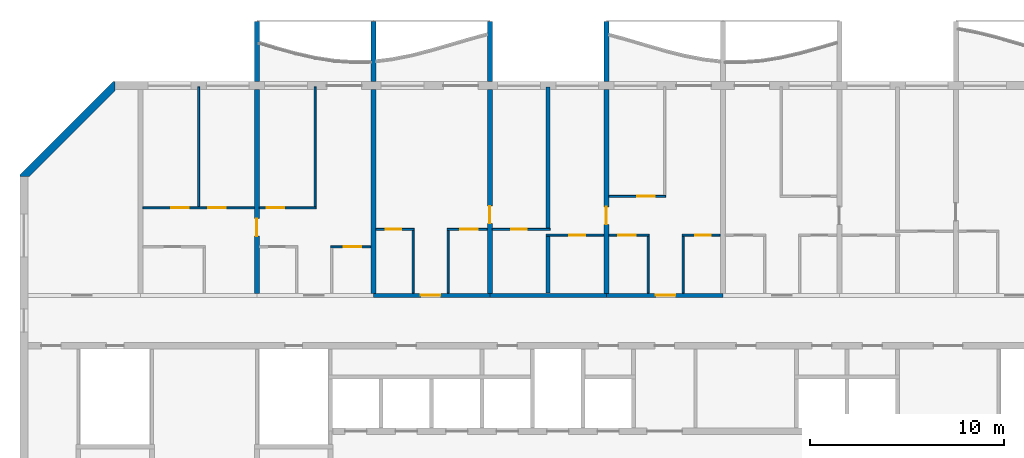
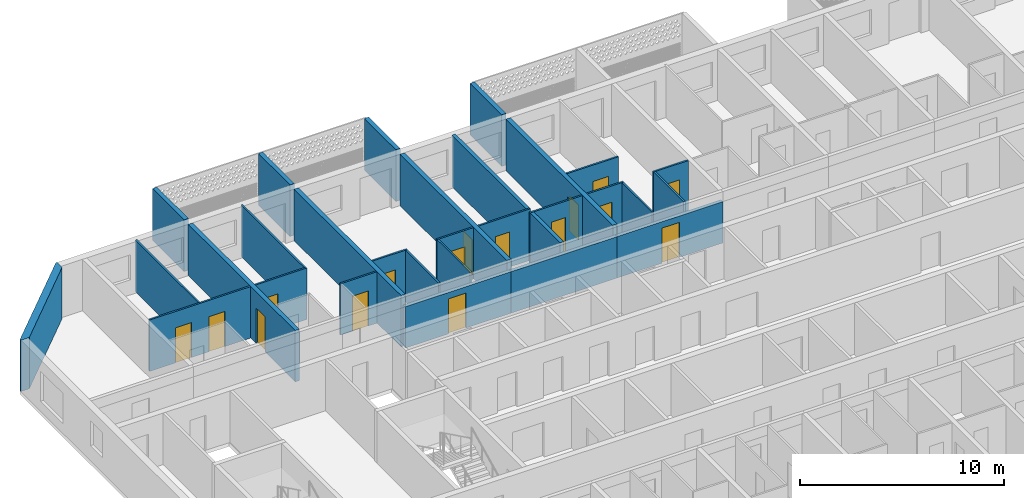
# One storey, part 8 of 27: 30 walls, 16 doors, 16 openings.
"""IFC4 building model written with IfcOpenShell, lengths in metres."""

from ifc_helpers import new_model, si_unit, direction, frame, frame_2d, origin, place, context, subcontext, project, spatial, polyline, rectangle, outline, extrude, source, transform, mapped, material, layer, layer_set, type_object, element, fill, save


model = new_model("IFC4")

# Units and contexts
model_context = context("Model", 3, precision=1e-05, world=origin(), true_north=direction((0.0, 1.0)))
body_context = subcontext(model_context, "Body", "Model", "MODEL_VIEW")
ifc_project = project(units=[si_unit("LENGTHUNIT", "METRE"), si_unit("AREAUNIT", "SQUARE_METRE"), si_unit("VOLUMEUNIT", "CUBIC_METRE"), si_unit("PLANEANGLEUNIT", "RADIAN"), si_unit("MASSUNIT", "GRAM", prefix="KILO")], contexts=[model_context])

# Site, building, storey
site_placement = place(None, origin())
site = spatial("IfcSite", under=ifc_project, at=site_placement, CompositionType="ELEMENT")
building_placement = place(site_placement, origin())
building = spatial("IfcBuilding", under=site, at=building_placement, Name="Poui Terraces", CompositionType="ELEMENT")
storey_placement = place(building_placement, frame((0.0, 0.0, 254.39990234375)))
storey = spatial("IfcBuildingStorey", under=building, at=storey_placement, Name="L71", CompositionType="ELEMENT", Elevation=254.39990234375)

# Wall, opening, door
ifc_material_1 = material(Name="Concrete 50 MPa", Category="concrete")
ifc_layer_1 = layer(ifc_material_1, 0.199951171875)
ifc_layer_set_1 = layer_set([ifc_layer_1], Name="Concrete 50 MPa")
wall_type_1 = type_object("IfcWallType", Name="CORRIDOR WALL 200 50MPa", PredefinedType="SHEAR", material=ifc_layer_set_1)
wall_1_placement = place(storey_placement, frame((36.0, 30.39990234375, 0.0), z_axis=(0.0, 0.0, 1.0), x_axis=(1.0, 0.0, 0.0)))
wall_1 = element("IfcWall", 1, at=wall_1_placement, inside=storey, type_object=wall_type_1, Name="CORRIDOR WALL LINE E BAY 4", PredefinedType="SHEAR", context=body_context, shape_type="SweptSolid", body=[
    extrude(rectangle(XDim=6.0, YDim=0.199951171875, at=frame_2d((3.0, 0.0))), origin(), (0.0, 0.0, 1.0), 2.47998046875),
])
opening_1_placement = place(wall_1_placement, frame((2.449951171875, 0.0, 0.0)))
opening_1 = element("IfcOpeningElement", 2, at=opening_1_placement, cuts=wall_1, Name="Opening FD30S", PredefinedType="OPENING", context=body_context, shape_type="SweptSolid", body=[
    extrude(rectangle(XDim=1.0, YDim=2.10009765625, at=frame_2d((0.5, 1.050048828125))), frame((0.0, 0.10986328125, 0.0), z_axis=(0.0, -1.0, 0.0), x_axis=(1.0, 0.0, 0.0)), (0.0, 0.0, 1.0), 0.219970703125),
])
ifc_material_2 = material(Name="Steel fire door", Category="steel")
door_type_1 = type_object("IfcDoorType", Name="FLAT ENTRANCE DOOR 1000 X 2100", OperationType="NOTDEFINED", PredefinedType="DOOR", material=ifc_material_2)
door_1_placement = place(opening_1_placement, origin())
door_1 = element("IfcDoor", 3, at=door_1_placement, inside=storey, type_object=door_type_1, Name="FLAT ENTRANCE DOOR 037", OperationType="SINGLE_SWING_LEFT", OverallHeight=2.10009765625, OverallWidth=1.0, PredefinedType="DOOR", context=body_context, shape_type="SweptSolid", body=[
    extrude(rectangle(XDim=1.0, YDim=2.10009765625, at=frame_2d((0.5, 1.050048828125))), frame((0.0, 0.02490234375, 0.0), z_axis=(0.0, -1.0, 0.0), x_axis=(1.0, 0.0, 0.0)), (0.0, 0.0, 1.0), 0.050048828125),
])
fill(opening_1, door_1)

# Wall
wall_2_placement = place(storey_placement, frame((42.0, 30.39990234375, 0.0), z_axis=(0.0, 0.0, 1.0), x_axis=(1.0, 0.0, 0.0)))
element("IfcWall", 4, at=wall_2_placement, inside=storey, type_object=wall_type_1, Name="CORRIDOR WALL LINE E BAY 5", PredefinedType="SHEAR", context=body_context, shape_type="SweptSolid", body=[
    extrude(rectangle(XDim=6.0, YDim=0.199951171875, at=frame_2d((3.0, 0.0))), origin(), (0.0, 0.0, 1.0), 2.47998046875),
])

# Wall, opening, door
wall_3_placement = place(storey_placement, frame((48.0, 30.39990234375, 0.0), z_axis=(0.0, 0.0, 1.0), x_axis=(1.0, 0.0, 0.0)))
wall_3 = element("IfcWall", 5, at=wall_3_placement, inside=storey, type_object=wall_type_1, Name="CORRIDOR WALL LINE E BAY 6", PredefinedType="SHEAR", context=body_context, shape_type="SweptSolid", body=[
    extrude(rectangle(XDim=6.0, YDim=0.199951171875, at=frame_2d((3.0, 0.0))), origin(), (0.0, 0.0, 1.0), 2.47998046875),
])
opening_2_placement = place(wall_3_placement, frame((2.550048828125, 0.0, 0.0)))
opening_2 = element("IfcOpeningElement", 6, at=opening_2_placement, cuts=wall_3, Name="Opening FD30S", PredefinedType="OPENING", context=body_context, shape_type="SweptSolid", body=[
    extrude(rectangle(XDim=1.0, YDim=2.10009765625, at=frame_2d((0.5, 1.050048828125))), frame((0.0, 0.10986328125, 0.0), z_axis=(0.0, -1.0, 0.0), x_axis=(1.0, 0.0, 0.0)), (0.0, 0.0, 1.0), 0.219970703125),
])
door_2_placement = place(opening_2_placement, origin())
door_2 = element("IfcDoor", 7, at=door_2_placement, inside=storey, type_object=door_type_1, Name="FLAT ENTRANCE DOOR 044", OperationType="SINGLE_SWING_RIGHT", OverallHeight=2.10009765625, OverallWidth=1.0, PredefinedType="DOOR", context=body_context, shape_type="SweptSolid", body=[
    extrude(rectangle(XDim=1.0, YDim=2.10009765625, at=frame_2d((0.5, 1.050048828125))), frame((0.0, 0.02490234375, 0.0), z_axis=(0.0, -1.0, 0.0), x_axis=(1.0, 0.0, 0.0)), (0.0, 0.0, 1.0), 0.050048828125),
])
fill(opening_2, door_2)

ifc_layer_2 = layer(ifc_material_1, 0.25)
ifc_layer_set_2 = layer_set([ifc_layer_2], Name="Concrete 50 MPa")
wall_type_2 = type_object("IfcWallType", Name="CROSS WALL 250 50MPa", PredefinedType="SHEAR", material=ifc_layer_set_2)
wall_4_placement = place(storey_placement, frame((30.0, 30.5, 0.0), z_axis=(0.0, 0.0, 1.0), x_axis=(0.0, 1.0, 0.0)))
wall_4 = element("IfcWall", 8, at=wall_4_placement, inside=storey, type_object=wall_type_2, Name="CROSS WALL LINE 6 NORTH", PredefinedType="SHEAR", context=body_context, shape_type="SweptSolid", body=[
    extrude(rectangle(XDim=10.5, YDim=0.25, at=frame_2d((5.25, 0.0))), origin(), (0.0, 0.0, 1.0), 3.080078125),
])
opening_3_placement = place(wall_4_placement, frame((2.949951171875, 0.0, 0.0)))
opening_3 = element("IfcOpeningElement", 9, at=opening_3_placement, cuts=wall_4, Name="Opening D90", PredefinedType="OPENING", context=body_context, shape_type="SweptSolid", body=[
    extrude(rectangle(XDim=0.89990234375, YDim=2.10009765625, at=frame_2d((0.449951171875, 1.050048828125))), frame((0.0, 0.135009765625, 0.0), z_axis=(0.0, -1.0, 0.0), x_axis=(1.0, 0.0, 0.0)), (0.0, 0.0, 1.0), 0.27001953125),
])
ifc_material_3 = material(Name="Solid core timber door", Category="wood")
door_type_2 = type_object("IfcDoorType", Name="INTERNAL DOOR 900 X 2100", OperationType="NOTDEFINED", PredefinedType="DOOR", material=ifc_material_3)
door_3_placement = place(opening_3_placement, frame((0.89990234375, 0.0, 0.0), z_axis=(0.0, 0.0, 1.0), x_axis=(-1.0, 0.0, 0.0)))
door_3 = element("IfcDoor", 10, at=door_3_placement, inside=storey, type_object=door_type_2, Name="INTERNAL DOOR 030", OperationType="SINGLE_SWING_RIGHT", OverallHeight=2.10009765625, OverallWidth=0.89990234375, PredefinedType="DOOR", context=body_context, shape_type="SweptSolid", body=[
    extrude(rectangle(XDim=0.89990234375, YDim=2.10009765625, at=frame_2d((0.449951171875, 1.050048828125))), frame((0.0, 0.02490234375, 0.0), z_axis=(0.0, -1.0, 0.0), x_axis=(1.0, 0.0, 0.0)), (0.0, 0.0, 1.0), 0.050048828125),
])
fill(opening_3, door_3)

# Wall
wall_5_placement = place(storey_placement, frame((36.0, 30.5, 0.0), z_axis=(0.0, 0.0, 1.0), x_axis=(0.0, 1.0, 0.0)))
element("IfcWall", 11, at=wall_5_placement, inside=storey, type_object=wall_type_2, Name="CROSS WALL LINE 7 NORTH", PredefinedType="SHEAR", context=body_context, shape_type="SweptSolid", body=[
    extrude(rectangle(XDim=10.5, YDim=0.25, at=frame_2d((5.25, 0.0))), origin(), (0.0, 0.0, 1.0), 3.080078125),
])

# Wall, opening, door
wall_6_placement = place(storey_placement, frame((42.0, 30.5, 0.0), z_axis=(0.0, 0.0, 1.0), x_axis=(0.0, 1.0, 0.0)))
wall_6 = element("IfcWall", 12, at=wall_6_placement, inside=storey, type_object=wall_type_2, Name="CROSS WALL LINE 8 NORTH", PredefinedType="SHEAR", context=body_context, shape_type="SweptSolid", body=[
    extrude(rectangle(XDim=10.5, YDim=0.25, at=frame_2d((5.25, 0.0))), origin(), (0.0, 0.0, 1.0), 3.080078125),
])
opening_4_placement = place(wall_6_placement, frame((3.60009765625, 0.0, 0.0)))
opening_4 = element("IfcOpeningElement", 13, at=opening_4_placement, cuts=wall_6, Name="Opening D90", PredefinedType="OPENING", context=body_context, shape_type="SweptSolid", body=[
    extrude(rectangle(XDim=0.89990234375, YDim=2.10009765625, at=frame_2d((0.449951171875, 1.050048828125))), frame((0.0, 0.135009765625, 0.0), z_axis=(0.0, -1.0, 0.0), x_axis=(1.0, 0.0, 0.0)), (0.0, 0.0, 1.0), 0.27001953125),
])
door_4_placement = place(opening_4_placement, frame((0.89990234375, 0.0, 0.0), z_axis=(0.0, 0.0, 1.0), x_axis=(-1.0, 0.0, 0.0)))
door_4 = element("IfcDoor", 14, at=door_4_placement, inside=storey, type_object=door_type_2, Name="INTERNAL DOOR 039", OperationType="SINGLE_SWING_RIGHT", OverallHeight=2.10009765625, OverallWidth=0.89990234375, PredefinedType="DOOR", context=body_context, shape_type="SweptSolid", body=[
    extrude(rectangle(XDim=0.89990234375, YDim=2.10009765625, at=frame_2d((0.449951171875, 1.050048828125))), frame((0.0, 0.02490234375, 0.0), z_axis=(0.0, -1.0, 0.0), x_axis=(1.0, 0.0, 0.0)), (0.0, 0.0, 1.0), 0.050048828125),
])
fill(opening_4, door_4)

wall_7_placement = place(storey_placement, frame((48.0, 30.5, 0.0), z_axis=(0.0, 0.0, 1.0), x_axis=(0.0, 1.0, 0.0)))
wall_7 = element("IfcWall", 15, at=wall_7_placement, inside=storey, type_object=wall_type_2, Name="CROSS WALL LINE 9 NORTH", PredefinedType="SHEAR", context=body_context, shape_type="SweptSolid", body=[
    extrude(rectangle(XDim=10.5, YDim=0.25, at=frame_2d((5.25, 0.0))), origin(), (0.0, 0.0, 1.0), 3.080078125),
])
opening_5_placement = place(wall_7_placement, frame((3.550048828125, 0.0, 0.0)))
opening_5 = element("IfcOpeningElement", 16, at=opening_5_placement, cuts=wall_7, Name="Opening D90", PredefinedType="OPENING", context=body_context, shape_type="SweptSolid", body=[
    extrude(rectangle(XDim=0.89990234375, YDim=2.10009765625, at=frame_2d((0.449951171875, 1.050048828125))), frame((0.0, 0.135009765625, 0.0), z_axis=(0.0, -1.0, 0.0), x_axis=(1.0, 0.0, 0.0)), (0.0, 0.0, 1.0), 0.27001953125),
])
door_5_placement = place(opening_5_placement, origin())
door_5 = element("IfcDoor", 17, at=door_5_placement, inside=storey, type_object=door_type_2, Name="INTERNAL DOOR 041", OperationType="SINGLE_SWING_LEFT", OverallHeight=2.10009765625, OverallWidth=0.89990234375, PredefinedType="DOOR", context=body_context, shape_type="SweptSolid", body=[
    extrude(rectangle(XDim=0.89990234375, YDim=2.10009765625, at=frame_2d((0.449951171875, 1.050048828125))), frame((0.0, 0.02490234375, 0.0), z_axis=(0.0, -1.0, 0.0), x_axis=(1.0, 0.0, 0.0)), (0.0, 0.0, 1.0), 0.050048828125),
])
fill(opening_5, door_5)

ifc_material_4 = material(Name="Plasterboard partition")
ifc_layer_3 = layer(ifc_material_4, 0.10009765625)
ifc_layer_set_3 = layer_set([ifc_layer_3], Name="Plasterboard partition")
wall_type_3 = type_object("IfcWallType", Name="FLAT PARTITION 100", PredefinedType="PARTITIONING", material=ifc_layer_set_3)
wall_8_placement = place(storey_placement, frame((33.800048828125, 32.89990234375, 0.0), z_axis=(0.0, 0.0, 1.0), x_axis=(1.0, 0.0, 0.0)))
wall_8 = element("IfcWall", 18, at=wall_8_placement, inside=storey, type_object=wall_type_3, Name="FLAT PARTITION 100", PredefinedType="PARTITIONING", context=body_context, shape_type="SweptSolid", body=[
    extrude(rectangle(XDim=2.06494140625, YDim=0.10009765625, at=frame_2d((1.032470703125, 0.0))), origin(), (0.0, 0.0, 1.0), 3.080078125),
])
opening_6_placement = place(wall_8_placement, frame((0.675048828125, 0.0, 0.0)))
opening_6 = element("IfcOpeningElement", 19, at=opening_6_placement, cuts=wall_8, Name="Opening D90", PredefinedType="OPENING", context=body_context, shape_type="SweptSolid", body=[
    extrude(rectangle(XDim=0.89990234375, YDim=2.10009765625, at=frame_2d((0.449951171875, 1.050048828125))), frame((0.0, 0.06005859375, 0.0), z_axis=(0.0, -1.0, 0.0), x_axis=(1.0, 0.0, 0.0)), (0.0, 0.0, 1.0), 0.1201171875),
])
door_6_placement = place(opening_6_placement, frame((0.89990234375, 0.0, 0.0), z_axis=(0.0, 0.0, 1.0), x_axis=(-1.0, 0.0, 0.0)))
door_6 = element("IfcDoor", 20, at=door_6_placement, inside=storey, type_object=door_type_2, Name="INTERNAL DOOR 034", OperationType="SINGLE_SWING_LEFT", OverallHeight=2.10009765625, OverallWidth=0.89990234375, PredefinedType="DOOR", context=body_context, shape_type="SweptSolid", body=[
    extrude(rectangle(XDim=0.89990234375, YDim=2.10009765625, at=frame_2d((0.449951171875, 1.050048828125))), frame((0.0, 0.02490234375, 0.0), z_axis=(0.0, -1.0, 0.0), x_axis=(1.0, 0.0, 0.0)), (0.0, 0.0, 1.0), 0.050048828125),
])
fill(opening_6, door_6)

wall_9_placement = place(storey_placement, frame((44.89990234375, 33.5, 0.0), z_axis=(0.0, 0.0, 1.0), x_axis=(1.0, 0.0, 0.0)))
wall_9 = element("IfcWall", 21, at=wall_9_placement, inside=storey, type_object=wall_type_3, Name="FLAT PARTITION 100", PredefinedType="PARTITIONING", context=body_context, shape_type="SweptSolid", body=[
    extrude(rectangle(XDim=2.965087890625, YDim=0.10009765625, at=frame_2d((1.482421875, 0.0))), origin(), (0.0, 0.0, 1.0), 3.080078125),
])
opening_7_placement = place(wall_9_placement, frame((1.199951171875, 0.0, 0.0)))
opening_7 = element("IfcOpeningElement", 22, at=opening_7_placement, cuts=wall_9, Name="Opening D80", PredefinedType="OPENING", context=body_context, shape_type="SweptSolid", body=[
    extrude(rectangle(XDim=0.800048828125, YDim=2.10009765625, at=frame_2d((0.39990234375, 1.050048828125))), frame((0.0, 0.06005859375, 0.0), z_axis=(0.0, -1.0, 0.0), x_axis=(1.0, 0.0, 0.0)), (0.0, 0.0, 1.0), 0.1201171875),
])
door_type_3 = type_object("IfcDoorType", Name="BATHROOM, LAUNDRY AND STORE DOOR 800 X 2100", OperationType="NOTDEFINED", PredefinedType="DOOR", material=ifc_material_3)
door_7_placement = place(opening_7_placement, frame((0.800048828125, 0.0, 0.0), z_axis=(0.0, 0.0, 1.0), x_axis=(-1.0, 0.0, 0.0)))
door_7 = element("IfcDoor", 23, at=door_7_placement, inside=storey, type_object=door_type_3, Name="BATHROOM, LAUNDRY AND STORE DOOR 040", OperationType="SINGLE_SWING_LEFT", OverallHeight=2.10009765625, OverallWidth=0.800048828125, PredefinedType="DOOR", context=body_context, shape_type="SweptSolid", body=[
    extrude(rectangle(XDim=0.800048828125, YDim=2.10009765625, at=frame_2d((0.39990234375, 1.050048828125))), frame((0.0, 0.02490234375, 0.0), z_axis=(0.0, -1.0, 0.0), x_axis=(1.0, 0.0, 0.0)), (0.0, 0.0, 1.0), 0.050048828125),
])
fill(opening_7, door_7)

wall_10_placement = place(storey_placement, frame((48.135009765625, 33.5, 0.0), z_axis=(0.0, 0.0, 1.0), x_axis=(1.0, 0.0, 0.0)))
wall_10 = element("IfcWall", 24, at=wall_10_placement, inside=storey, type_object=wall_type_3, Name="FLAT PARTITION 100", PredefinedType="PARTITIONING", context=body_context, shape_type="SweptSolid", body=[
    extrude(rectangle(XDim=2.06494140625, YDim=0.10009765625, at=frame_2d((1.032470703125, 0.0))), origin(), (0.0, 0.0, 1.0), 3.080078125),
])
opening_8_placement = place(wall_10_placement, frame((0.489990234375, 0.0, 0.0)))
opening_8 = element("IfcOpeningElement", 25, at=opening_8_placement, cuts=wall_10, Name="Opening D90", PredefinedType="OPENING", context=body_context, shape_type="SweptSolid", body=[
    extrude(rectangle(XDim=0.89990234375, YDim=2.10009765625, at=frame_2d((0.449951171875, 1.050048828125))), frame((0.0, 0.06005859375, 0.0), z_axis=(0.0, -1.0, 0.0), x_axis=(1.0, 0.0, 0.0)), (0.0, 0.0, 1.0), 0.1201171875),
])
door_8_placement = place(opening_8_placement, frame((0.89990234375, 0.0, 0.0), z_axis=(0.0, 0.0, 1.0), x_axis=(-1.0, 0.0, 0.0)))
door_8 = element("IfcDoor", 26, at=door_8_placement, inside=storey, type_object=door_type_2, Name="INTERNAL DOOR 042", OperationType="SINGLE_SWING_LEFT", OverallHeight=2.10009765625, OverallWidth=0.89990234375, PredefinedType="DOOR", context=body_context, shape_type="SweptSolid", body=[
    extrude(rectangle(XDim=0.89990234375, YDim=2.10009765625, at=frame_2d((0.449951171875, 1.050048828125))), frame((0.0, 0.02490234375, 0.0), z_axis=(0.0, -1.0, 0.0), x_axis=(1.0, 0.0, 0.0)), (0.0, 0.0, 1.0), 0.050048828125),
])
fill(opening_8, door_8)

wall_11_placement = place(storey_placement, frame((51.89990234375, 33.5, 0.0), z_axis=(0.0, 0.0, 1.0), x_axis=(1.0, 0.0, 0.0)))
wall_11 = element("IfcWall", 27, at=wall_11_placement, inside=storey, type_object=wall_type_3, Name="FLAT PARTITION 100", PredefinedType="PARTITIONING", context=body_context, shape_type="SweptSolid", body=[
    extrude(rectangle(XDim=1.965087890625, YDim=0.10009765625, at=frame_2d((0.982421875, 0.0))), origin(), (0.0, 0.0, 1.0), 3.080078125),
])
opening_9_placement = place(wall_11_placement, frame((0.675048828125, 0.0, 0.0)))
opening_9 = element("IfcOpeningElement", 28, at=opening_9_placement, cuts=wall_11, Name="Opening D80", PredefinedType="OPENING", context=body_context, shape_type="SweptSolid", body=[
    extrude(rectangle(XDim=0.800048828125, YDim=2.10009765625, at=frame_2d((0.39990234375, 1.050048828125))), frame((0.0, 0.06005859375, 0.0), z_axis=(0.0, -1.0, 0.0), x_axis=(1.0, 0.0, 0.0)), (0.0, 0.0, 1.0), 0.1201171875),
])
door_9_placement = place(opening_9_placement, frame((0.800048828125, 0.0, 0.0), z_axis=(0.0, 0.0, 1.0), x_axis=(-1.0, 0.0, 0.0)))
door_9 = element("IfcDoor", 29, at=door_9_placement, inside=storey, type_object=door_type_3, Name="BATHROOM, LAUNDRY AND STORE DOOR 045", OperationType="SINGLE_SWING_RIGHT", OverallHeight=2.10009765625, OverallWidth=0.800048828125, PredefinedType="DOOR", context=body_context, shape_type="SweptSolid", body=[
    extrude(rectangle(XDim=0.800048828125, YDim=2.10009765625, at=frame_2d((0.39990234375, 1.050048828125))), frame((0.0, 0.02490234375, 0.0), z_axis=(0.0, -1.0, 0.0), x_axis=(1.0, 0.0, 0.0)), (0.0, 0.0, 1.0), 0.050048828125),
])
fill(opening_9, door_9)

wall_12_placement = place(storey_placement, frame((36.135009765625, 33.800048828125, 0.0), z_axis=(0.0, 0.0, 1.0), x_axis=(1.0, 0.0, 0.0)))
wall_12 = element("IfcWall", 30, at=wall_12_placement, inside=storey, type_object=wall_type_3, Name="FLAT PARTITION 100", PredefinedType="PARTITIONING", context=body_context, shape_type="SweptSolid", body=[
    extrude(rectangle(XDim=1.965087890625, YDim=0.10009765625, at=frame_2d((0.982421875, 0.0))), origin(), (0.0, 0.0, 1.0), 3.080078125),
])
opening_10_placement = place(wall_12_placement, frame((0.489990234375, 0.0, 0.0)))
opening_10 = element("IfcOpeningElement", 31, at=opening_10_placement, cuts=wall_12, Name="Opening D80", PredefinedType="OPENING", context=body_context, shape_type="SweptSolid", body=[
    extrude(rectangle(XDim=0.800048828125, YDim=2.10009765625, at=frame_2d((0.39990234375, 1.050048828125))), frame((0.0, 0.06005859375, 0.0), z_axis=(0.0, -1.0, 0.0), x_axis=(1.0, 0.0, 0.0)), (0.0, 0.0, 1.0), 0.1201171875),
])
door_10_placement = place(opening_10_placement, frame((0.800048828125, 0.0, 0.0), z_axis=(0.0, 0.0, 1.0), x_axis=(-1.0, 0.0, 0.0)))
door_10 = element("IfcDoor", 32, at=door_10_placement, inside=storey, type_object=door_type_3, Name="BATHROOM, LAUNDRY AND STORE DOOR 036", OperationType="SINGLE_SWING_LEFT", OverallHeight=2.10009765625, OverallWidth=0.800048828125, PredefinedType="DOOR", context=body_context, shape_type="SweptSolid", body=[
    extrude(rectangle(XDim=0.800048828125, YDim=2.10009765625, at=frame_2d((0.39990234375, 1.050048828125))), frame((0.0, 0.02490234375, 0.0), z_axis=(0.0, -1.0, 0.0), x_axis=(1.0, 0.0, 0.0)), (0.0, 0.0, 1.0), 0.050048828125),
])
fill(opening_10, door_10)

wall_13_placement = place(storey_placement, frame((39.800048828125, 33.800048828125, 0.0), z_axis=(0.0, 0.0, 1.0), x_axis=(1.0, 0.0, 0.0)))
wall_13 = element("IfcWall", 33, at=wall_13_placement, inside=storey, type_object=wall_type_3, Name="FLAT PARTITION 100", PredefinedType="PARTITIONING", context=body_context, shape_type="SweptSolid", body=[
    extrude(rectangle(XDim=2.06494140625, YDim=0.10009765625, at=frame_2d((1.032470703125, 0.0))), origin(), (0.0, 0.0, 1.0), 3.080078125),
])
opening_11_placement = place(wall_13_placement, frame((0.675048828125, 0.0, 0.0)))
opening_11 = element("IfcOpeningElement", 34, at=opening_11_placement, cuts=wall_13, Name="Opening D90", PredefinedType="OPENING", context=body_context, shape_type="SweptSolid", body=[
    extrude(rectangle(XDim=0.89990234375, YDim=2.10009765625, at=frame_2d((0.449951171875, 1.050048828125))), frame((0.0, 0.06005859375, 0.0), z_axis=(0.0, -1.0, 0.0), x_axis=(1.0, 0.0, 0.0)), (0.0, 0.0, 1.0), 0.1201171875),
])
door_11_placement = place(opening_11_placement, frame((0.89990234375, 0.0, 0.0), z_axis=(0.0, 0.0, 1.0), x_axis=(-1.0, 0.0, 0.0)))
door_11 = element("IfcDoor", 35, at=door_11_placement, inside=storey, type_object=door_type_2, Name="INTERNAL DOOR 038", OperationType="SINGLE_SWING_RIGHT", OverallHeight=2.10009765625, OverallWidth=0.89990234375, PredefinedType="DOOR", context=body_context, shape_type="SweptSolid", body=[
    extrude(rectangle(XDim=0.89990234375, YDim=2.10009765625, at=frame_2d((0.449951171875, 1.050048828125))), frame((0.0, 0.02490234375, 0.0), z_axis=(0.0, -1.0, 0.0), x_axis=(1.0, 0.0, 0.0)), (0.0, 0.0, 1.0), 0.050048828125),
])
fill(opening_11, door_11)

wall_14_placement = place(storey_placement, frame((42.135009765625, 33.800048828125, 0.0), z_axis=(0.0, 0.0, 1.0), x_axis=(1.0, 0.0, 0.0)))
wall_14 = element("IfcWall", 36, at=wall_14_placement, inside=storey, type_object=wall_type_3, Name="FLAT PARTITION 100", PredefinedType="PARTITIONING", context=body_context, shape_type="SweptSolid", body=[
    extrude(rectangle(XDim=2.965087890625, YDim=0.10009765625, at=frame_2d((1.482421875, 0.0))), origin(), (0.0, 0.0, 1.0), 3.080078125),
])
opening_12_placement = place(wall_14_placement, frame((0.965087890625, 0.0, 0.0)))
opening_12 = element("IfcOpeningElement", 37, at=opening_12_placement, cuts=wall_14, Name="Opening D80", PredefinedType="OPENING", context=body_context, shape_type="SweptSolid", body=[
    extrude(rectangle(XDim=0.800048828125, YDim=2.10009765625, at=frame_2d((0.39990234375, 1.050048828125))), frame((0.0, 0.06005859375, 0.0), z_axis=(0.0, -1.0, 0.0), x_axis=(1.0, 0.0, 0.0)), (0.0, 0.0, 1.0), 0.1201171875),
])
door_12_placement = place(opening_12_placement, frame((0.800048828125, 0.0, 0.0), z_axis=(0.0, 0.0, 1.0), x_axis=(-1.0, 0.0, 0.0)))
door_12 = element("IfcDoor", 38, at=door_12_placement, inside=storey, type_object=door_type_3, Name="BATHROOM, LAUNDRY AND STORE DOOR 035", OperationType="SINGLE_SWING_RIGHT", OverallHeight=2.10009765625, OverallWidth=0.800048828125, PredefinedType="DOOR", context=body_context, shape_type="SweptSolid", body=[
    extrude(rectangle(XDim=0.800048828125, YDim=2.10009765625, at=frame_2d((0.39990234375, 1.050048828125))), frame((0.0, 0.02490234375, 0.0), z_axis=(0.0, -1.0, 0.0), x_axis=(1.0, 0.0, 0.0)), (0.0, 0.0, 1.0), 0.050048828125),
])
fill(opening_12, door_12)

# Wall, openings, doors
wall_15_placement = place(storey_placement, frame((24.135009765625, 34.89990234375, 0.0), z_axis=(0.0, 0.0, 1.0), x_axis=(1.0, 0.0, 0.0)))
wall_15 = element("IfcWall", 39, at=wall_15_placement, inside=storey, type_object=wall_type_3, Name="FLAT PARTITION 100", PredefinedType="PARTITIONING", context=body_context, shape_type="SweptSolid", body=[
    extrude(rectangle(XDim=5.72998046875, YDim=0.10009765625, at=frame_2d((2.864990234375, 0.0))), origin(), (0.0, 0.0, 1.0), 3.080078125),
])
opening_13_placement = place(wall_15_placement, frame((1.465087890625, 0.0, 0.0)))
opening_13 = element("IfcOpeningElement", 40, at=opening_13_placement, cuts=wall_15, Name="Opening D90", PredefinedType="OPENING", context=body_context, shape_type="SweptSolid", body=[
    extrude(rectangle(XDim=0.89990234375, YDim=2.10009765625, at=frame_2d((0.449951171875, 1.050048828125))), frame((0.0, 0.06005859375, 0.0), z_axis=(0.0, -1.0, 0.0), x_axis=(1.0, 0.0, 0.0)), (0.0, 0.0, 1.0), 0.1201171875),
])
opening_14_placement = place(wall_15_placement, frame((3.364990234375, 0.0, 0.0)))
opening_14 = element("IfcOpeningElement", 41, at=opening_14_placement, cuts=wall_15, Name="Opening D90", PredefinedType="OPENING", context=body_context, shape_type="SweptSolid", body=[
    extrude(rectangle(XDim=0.89990234375, YDim=2.10009765625, at=frame_2d((0.449951171875, 1.050048828125))), frame((0.0, 0.06005859375, 0.0), z_axis=(0.0, -1.0, 0.0), x_axis=(1.0, 0.0, 0.0)), (0.0, 0.0, 1.0), 0.1201171875),
])
door_13_placement = place(opening_13_placement, origin())
door_13 = element("IfcDoor", 42, at=door_13_placement, inside=storey, type_object=door_type_2, Name="INTERNAL DOOR 028", OperationType="SINGLE_SWING_RIGHT", OverallHeight=2.10009765625, OverallWidth=0.89990234375, PredefinedType="DOOR", context=body_context, shape_type="SweptSolid", body=[
    extrude(rectangle(XDim=0.89990234375, YDim=2.10009765625, at=frame_2d((0.449951171875, 1.050048828125))), frame((0.0, 0.02490234375, 0.0), z_axis=(0.0, -1.0, 0.0), x_axis=(1.0, 0.0, 0.0)), (0.0, 0.0, 1.0), 0.050048828125),
])
fill(opening_13, door_13)
door_14_placement = place(opening_14_placement, origin())
door_14 = element("IfcDoor", 43, at=door_14_placement, inside=storey, type_object=door_type_2, Name="INTERNAL DOOR 029", OperationType="SINGLE_SWING_LEFT", OverallHeight=2.10009765625, OverallWidth=0.89990234375, PredefinedType="DOOR", context=body_context, shape_type="SweptSolid", body=[
    extrude(rectangle(XDim=0.89990234375, YDim=2.10009765625, at=frame_2d((0.449951171875, 1.050048828125))), frame((0.0, 0.02490234375, 0.0), z_axis=(0.0, -1.0, 0.0), x_axis=(1.0, 0.0, 0.0)), (0.0, 0.0, 1.0), 0.050048828125),
])
fill(opening_14, door_14)

# Wall, opening, door
wall_16_placement = place(storey_placement, frame((30.135009765625, 34.89990234375, 0.0), z_axis=(0.0, 0.0, 1.0), x_axis=(1.0, 0.0, 0.0)))
wall_16 = element("IfcWall", 44, at=wall_16_placement, inside=storey, type_object=wall_type_3, Name="FLAT PARTITION 100", PredefinedType="PARTITIONING", context=body_context, shape_type="SweptSolid", body=[
    extrude(rectangle(XDim=2.9150390625, YDim=0.10009765625, at=frame_2d((1.45751953125, 0.0))), origin(), (0.0, 0.0, 1.0), 3.080078125),
])
opening_15_placement = place(wall_16_placement, frame((0.364990234375, 0.0, 0.0)))
opening_15 = element("IfcOpeningElement", 45, at=opening_15_placement, cuts=wall_16, Name="Opening D90", PredefinedType="OPENING", context=body_context, shape_type="SweptSolid", body=[
    extrude(rectangle(XDim=0.89990234375, YDim=2.10009765625, at=frame_2d((0.449951171875, 1.050048828125))), frame((0.0, 0.06005859375, 0.0), z_axis=(0.0, -1.0, 0.0), x_axis=(1.0, 0.0, 0.0)), (0.0, 0.0, 1.0), 0.1201171875),
])
door_15_placement = place(opening_15_placement, frame((0.89990234375, 0.0, 0.0), z_axis=(0.0, 0.0, 1.0), x_axis=(-1.0, 0.0, 0.0)))
door_15 = element("IfcDoor", 46, at=door_15_placement, inside=storey, type_object=door_type_2, Name="INTERNAL DOOR 031", OperationType="SINGLE_SWING_LEFT", OverallHeight=2.10009765625, OverallWidth=0.89990234375, PredefinedType="DOOR", context=body_context, shape_type="SweptSolid", body=[
    extrude(rectangle(XDim=0.89990234375, YDim=2.10009765625, at=frame_2d((0.449951171875, 1.050048828125))), frame((0.0, 0.02490234375, 0.0), z_axis=(0.0, -1.0, 0.0), x_axis=(1.0, 0.0, 0.0)), (0.0, 0.0, 1.0), 0.050048828125),
])
fill(opening_15, door_15)

wall_17_placement = place(storey_placement, frame((48.135009765625, 35.5, 0.0), z_axis=(0.0, 0.0, 1.0), x_axis=(1.0, 0.0, 0.0)))
wall_17 = element("IfcWall", 47, at=wall_17_placement, inside=storey, type_object=wall_type_3, Name="FLAT PARTITION 100", PredefinedType="PARTITIONING", context=body_context, shape_type="SweptSolid", body=[
    extrude(rectangle(XDim=2.9150390625, YDim=0.10009765625, at=frame_2d((1.45751953125, 0.0))), origin(), (0.0, 0.0, 1.0), 3.080078125),
])
opening_16_placement = place(wall_17_placement, frame((1.465087890625, 0.0, 0.0)))
opening_16 = element("IfcOpeningElement", 48, at=opening_16_placement, cuts=wall_17, Name="Opening D90", PredefinedType="OPENING", context=body_context, shape_type="SweptSolid", body=[
    extrude(rectangle(XDim=0.89990234375, YDim=2.10009765625, at=frame_2d((0.449951171875, 1.050048828125))), frame((0.0, 0.06005859375, 0.0), z_axis=(0.0, -1.0, 0.0), x_axis=(1.0, 0.0, 0.0)), (0.0, 0.0, 1.0), 0.1201171875),
])
door_16_placement = place(opening_16_placement, frame((0.89990234375, 0.0, 0.0), z_axis=(0.0, 0.0, 1.0), x_axis=(-1.0, 0.0, 0.0)))
door_16 = element("IfcDoor", 49, at=door_16_placement, inside=storey, type_object=door_type_2, Name="INTERNAL DOOR 043", OperationType="SINGLE_SWING_RIGHT", OverallHeight=2.10009765625, OverallWidth=0.89990234375, PredefinedType="DOOR", context=body_context, shape_type="SweptSolid", body=[
    extrude(rectangle(XDim=0.89990234375, YDim=2.10009765625, at=frame_2d((0.449951171875, 1.050048828125))), frame((0.0, 0.02490234375, 0.0), z_axis=(0.0, -1.0, 0.0), x_axis=(1.0, 0.0, 0.0)), (0.0, 0.0, 1.0), 0.050048828125),
])
fill(opening_16, door_16)

# Walls
for number, where, z_axis, x_axis, name in (
    (50, (27.0, 34.949951171875, 0.0), (0.0, 0.0, 1.0), (0.0, 1.0, 0.0), "FLAT PARTITION 100"),
    (51, (33.0, 34.949951171875, 0.0), (0.0, 0.0, 1.0), (0.0, 1.0, 0.0), "FLAT PARTITION 100"),
):
    element("IfcWall", number, at=place(storey_placement, frame(where, z_axis=z_axis, x_axis=x_axis)), inside=storey, type_object=wall_type_3, Name=name, PredefinedType="PARTITIONING", context=body_context, shape_type="SweptSolid", body=[
        extrude(rectangle(XDim=6.18994140625, YDim=0.10009765625, at=frame_2d((3.094970703125, 0.0))), origin(), (0.0, 0.0, 1.0), 3.080078125),
    ])
for number, where, z_axis, x_axis, name in (
    (52, (38.050048828125, 30.510009765625, 0.0), (0.0, 0.0, 1.0), (0.0, 1.0, 0.0), "FLAT PARTITION 100"),
    (53, (39.85009765625, 30.510009765625, 0.0), (0.0, 0.0, 1.0), (0.0, 1.0, 0.0), "FLAT PARTITION 100"),
):
    element("IfcWall", number, at=place(storey_placement, frame(where, z_axis=z_axis, x_axis=x_axis)), inside=storey, type_object=wall_type_3, Name=name, PredefinedType="PARTITIONING", context=body_context, shape_type="SweptSolid", body=[
        extrude(rectangle(XDim=3.239990234375, YDim=0.10009765625, at=frame_2d((1.6201171875, 0.0))), origin(), (0.0, 0.0, 1.0), 3.080078125),
    ])
for number, where, z_axis, x_axis, name in (
    (54, (50.14990234375, 30.510009765625, 0.0), (0.0, 0.0, 1.0), (0.0, 1.0, 0.0), "FLAT PARTITION 100"),
    (55, (51.949951171875, 30.510009765625, 0.0), (0.0, 0.0, 1.0), (0.0, 1.0, 0.0), "FLAT PARTITION 100"),
):
    element("IfcWall", number, at=place(storey_placement, frame(where, z_axis=z_axis, x_axis=x_axis)), inside=storey, type_object=wall_type_3, Name=name, PredefinedType="PARTITIONING", context=body_context, shape_type="SweptSolid", body=[
        extrude(rectangle(XDim=2.93994140625, YDim=0.10009765625, at=frame_2d((1.469970703125, 0.0))), origin(), (0.0, 0.0, 1.0), 3.080078125),
    ])
ifc_material_5 = material(Name="Fire-rated masonry wall", Category="masonry")
ifc_layer_4 = layer(ifc_material_5, 0.199951171875)
ifc_layer_set_4 = layer_set([ifc_layer_4], Name="Fire-rated masonry wall")
wall_type_4 = type_object("IfcWallType", Name="FLAT PARTY WALL 200", PredefinedType="PARTITIONING", material=ifc_layer_set_4)
wall_18_placement = place(storey_placement, frame((45.0, 30.510009765625, 0.0), z_axis=(0.0, 0.0, 1.0), x_axis=(0.0, 1.0, 0.0)))
element("IfcWall", 56, at=wall_18_placement, inside=storey, type_object=wall_type_4, Name="FLAT PARTY WALL 200", PredefinedType="PARTITIONING", context=body_context, shape_type="SweptSolid", body=[
    extrude(rectangle(XDim=2.93994140625, YDim=0.199951171875, at=frame_2d((1.469970703125, 0.0))), origin(), (0.0, 0.0, 1.0), 3.080078125),
])
wall_19_placement = place(storey_placement, frame((45.0, 33.85009765625, 0.0), z_axis=(0.0, 0.0, 1.0), x_axis=(0.0, 1.0, 0.0)))
element("IfcWall", 57, at=wall_19_placement, inside=storey, type_object=wall_type_4, Name="FLAT PARTY WALL 200", PredefinedType="PARTITIONING", context=body_context, shape_type="SweptSolid", body=[
    extrude(rectangle(XDim=7.289794921875, YDim=0.199951171875, at=frame_2d((3.64501953125, 0.0))), origin(), (0.0, 0.0, 1.0), 3.080078125),
])
ifc_material_6 = material(Name="Precast concrete 40 MPa", Category="concrete")
ifc_layer_5 = layer(ifc_material_6, 0.39990234375)
ifc_layer_set_5 = layer_set([ifc_layer_5], Name="Precast concrete 40 MPa")
wall_type_5 = type_object("IfcWallType", Name="TERRACOTTA CLAD CHAMFER WALL 400", PredefinedType="STANDARD", material=ifc_layer_set_5)
wall_20_placement = place(storey_placement, origin())
element("IfcWall", 58, at=wall_20_placement, inside=storey, type_object=wall_type_5, Name="CHAMFER WALL CH05", PredefinedType="STANDARD", context=body_context, shape_type="SweptSolid", body=[
    extrude(outline(polyline([(22.682861328125, 41.39990234375), (22.60009765625, 41.39990234375), (17.800048828125, 36.60009765625), (17.800048828125, 36.51708984375), (18.28271484375, 36.51708984375), (22.682861328125, 40.917236328125), (22.682861328125, 41.39990234375)])), origin(), (0.0, 0.0, 1.0), 3.080078125),
])
ifc_layer_6 = layer(ifc_material_6, 0.25)
ifc_layer_set_6 = layer_set([ifc_layer_6], Name="Precast concrete 40 MPa")
wall_type_6 = type_object("IfcWallType", Name="BALCONY FIN 250", PredefinedType="STANDARD", material=ifc_layer_set_6)
shared_shape = source(origin(), body_context, "Body", "SweptSolid", [
    extrude(outline(polyline([(0.0, 0.0), (0.25, 0.0), (0.25, 3.10009765625), (0.0, 3.10009765625), (0.0, 0.0)])), origin(), (0.0, 0.0, 1.0), 3.10009765625),
])
for number, where, name in (
    (59, (29.875, 41.39990234375, 0.0), "BALCONY FIN"),
    (60, (35.875, 41.39990234375, 0.0), "BALCONY FIN"),
    (61, (41.875, 41.39990234375, 0.0), "BALCONY FIN"),
    (62, (47.875, 41.39990234375, 0.0), "BALCONY FIN"),
):
    element("IfcWall", number, at=place(storey_placement, frame(where)), inside=storey, type_object=wall_type_6, Name=name, PredefinedType="STANDARD", context=body_context, shape_type="MappedRepresentation", body=[
        mapped(shared_shape, transform((0.0, 0.0, 0.0))),
    ])

save(model, "model.ifc")
